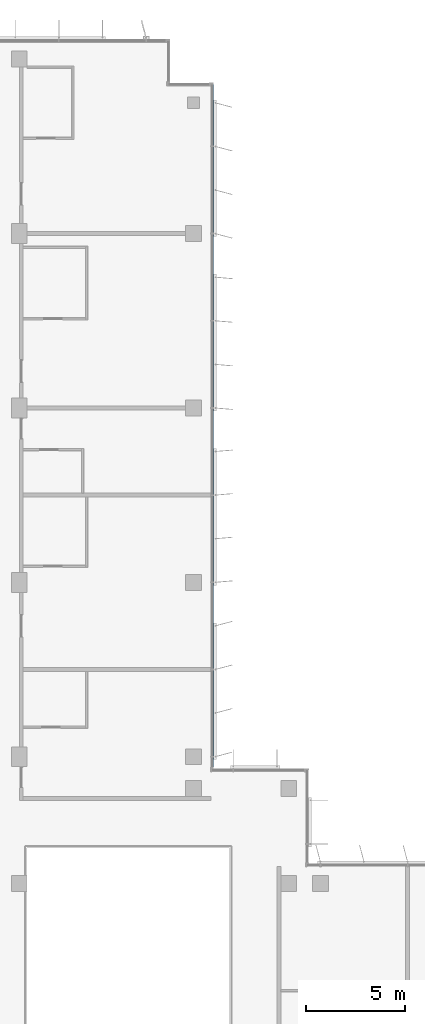
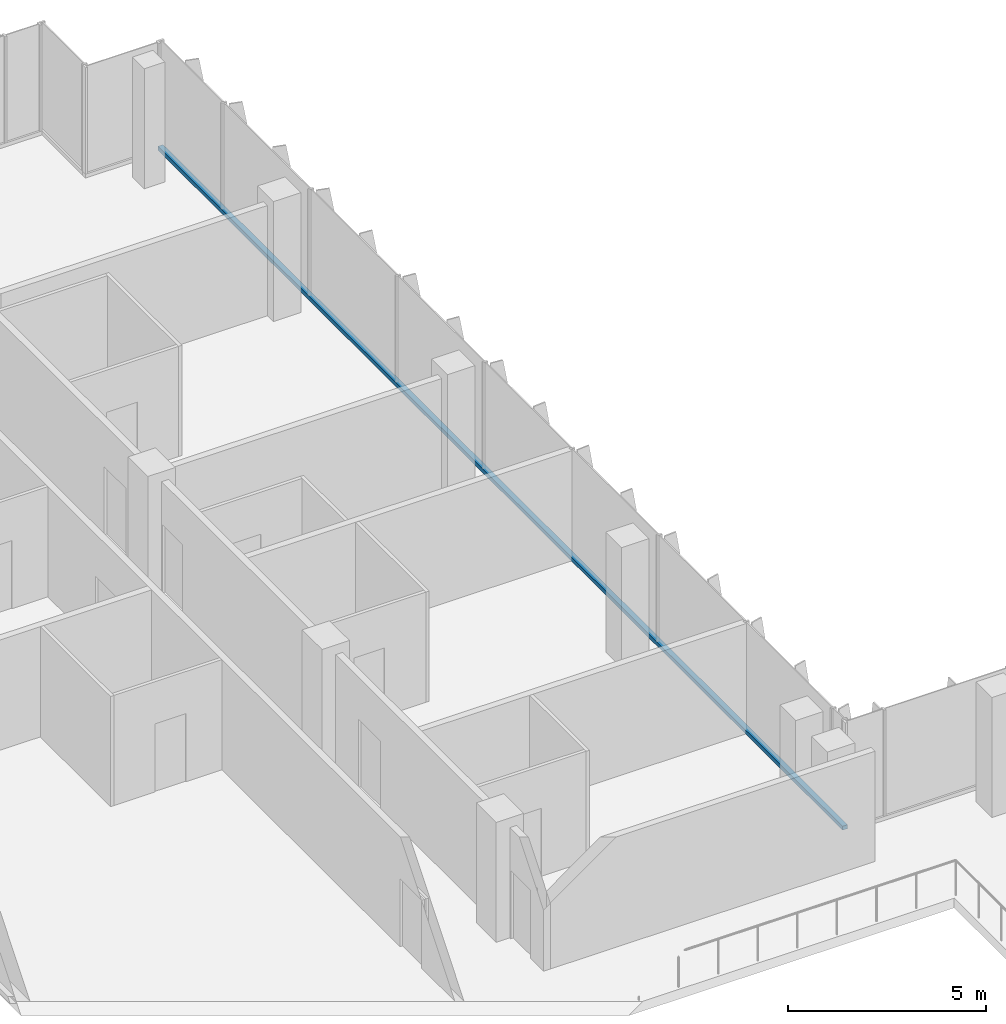
# One storey, part 5 of 15: 1 member, 1 element without a shape of its own.
"""IFC4 building model written with IfcOpenShell, lengths in metres."""

from ifc_helpers import new_model, si_unit, direction, frame, origin, origin_2d, place, context, subcontext, project, spatial, rectangle, extrude, material, material_profile, profile_set, type_object, element, aggregate, save


model = new_model("IFC4")

# Units and contexts
model_context = context("Model", 3, precision=1e-05, world=origin(), true_north=direction((0.0, 1.0)))
body_context = subcontext(model_context, "Body", "Model", "MODEL_VIEW")
ifc_project = project(units=[si_unit("LENGTHUNIT", "METRE"), si_unit("AREAUNIT", "SQUARE_METRE"), si_unit("VOLUMEUNIT", "CUBIC_METRE"), si_unit("PLANEANGLEUNIT", "RADIAN"), si_unit("MASSUNIT", "GRAM", prefix="KILO")], contexts=[model_context])

# Site, building, storey
site_placement = place(None, origin())
site = spatial("IfcSite", under=ifc_project, at=site_placement, CompositionType="ELEMENT")
building_placement = place(site_placement, origin())
building = spatial("IfcBuilding", under=site, at=building_placement, Name="Kemantara Hotel Tower", CompositionType="ELEMENT")
storey_placement = place(building_placement, frame((0.0, 0.0, 301.800048828125)))
storey = spatial("IfcBuildingStorey", under=building, at=storey_placement, Name="L76", CompositionType="ELEMENT", Elevation=301.800048828125)

# Curtain wall, member
ifc_material_1 = material(Name="Low-E tinted double insulated glass 36 mm", Category="glass")
curtain_wall_type = type_object("IfcCurtainWallType", Name="TOWER CURTAIN WALL, FRONT FACES", PredefinedType="USERDEFINED", material=ifc_material_1)
curtain_wall_placement = place(storey_placement, origin())
curtain_wall = element("IfcCurtainWall", 1, at=curtain_wall_placement, inside=storey, type_object=curtain_wall_type, Name="CW4 L76 T4-R15-1", ObjectType="TOWER CURTAIN WALL, FRONT FACES", PredefinedType="USERDEFINED")
ifc_material_2 = material(Name="Aluminium 6063-T6 bronze anodised", Category="aluminium")
ifc_material_profile = material_profile(ifc_material_2, rectangle(XDim=0.14990234375, YDim=0.1201171875, at=origin_2d()), Name="TOWER CURTAIN WALL, FRONT FACES TRANSOM")
ifc_profile_set = profile_set([ifc_material_profile], Name="Aluminium 6063-T6 bronze anodised")
member_type = type_object("IfcMemberType", Name="TOWER CURTAIN WALL, FRONT FACES TRANSOM", PredefinedType="USERDEFINED", material=ifc_profile_set)
member_placement = place(storey_placement, frame((21.925048828125, 26.800048828125, 0.06005859375), z_axis=(0.0, 1.0, 0.0), x_axis=(-1.0, 0.0, 0.0)))
member = element("IfcMember", 2, at=member_placement, type_object=member_type, Name="CW4 sill transom T4-R15-1", ObjectType="TRANSOM", PredefinedType="USERDEFINED", context=body_context, shape_type="SweptSolid", body=[
    extrude(rectangle(XDim=0.14990234375, YDim=0.1201171875, at=origin_2d()), origin(), (0.0, 0.0, 1.0), 34.599853515625),
])
aggregate(curtain_wall, [member])

save(model, "model.ifc")
